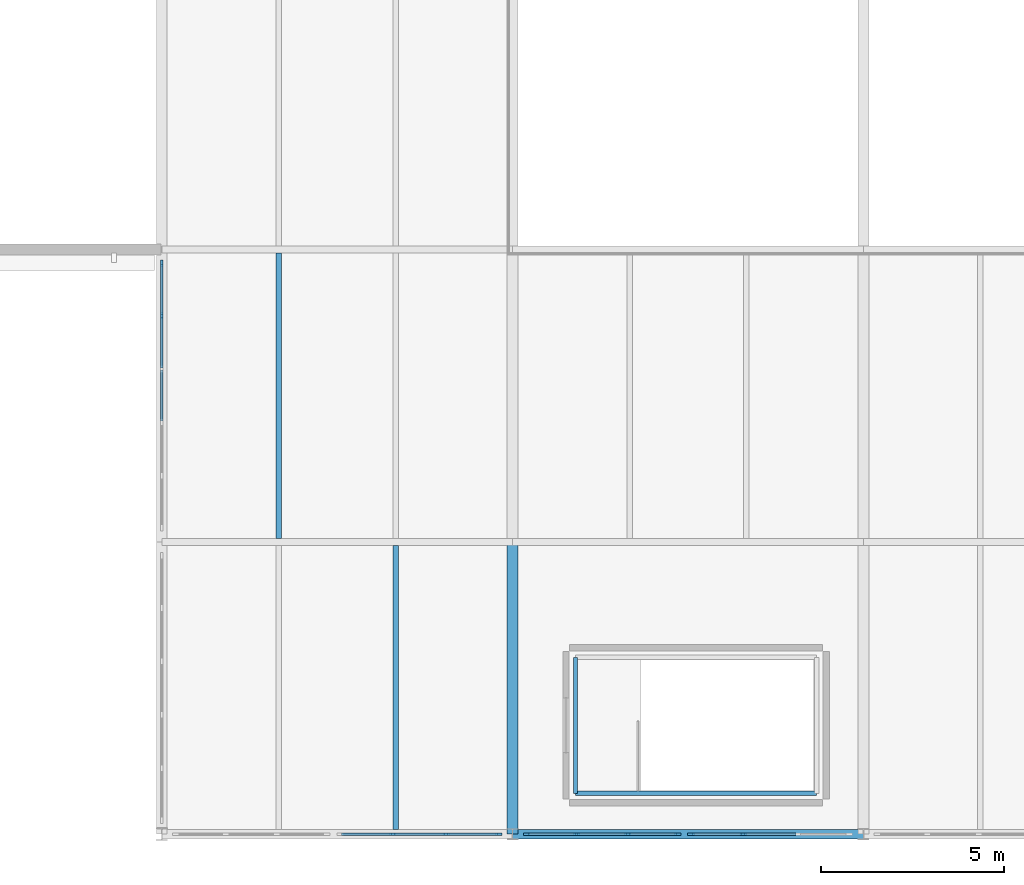
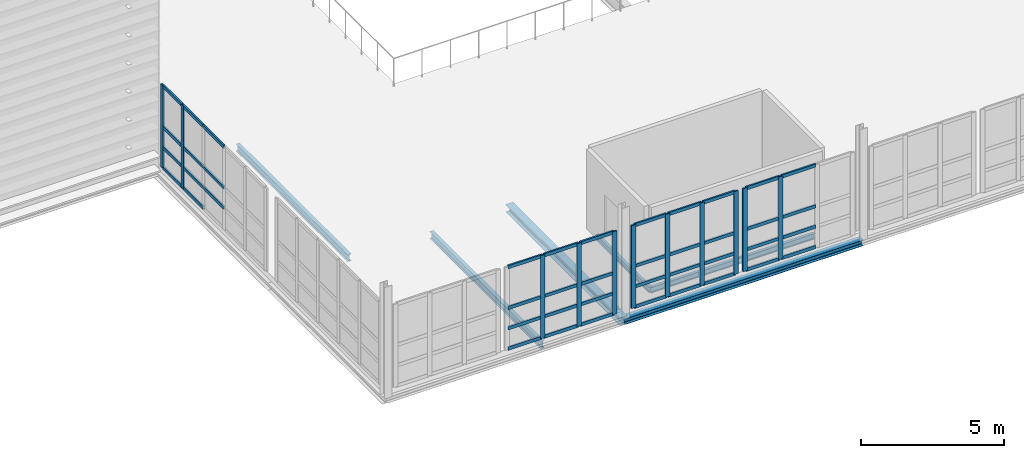
# One storey, part 24 of 73: 54 members, 6 beams, 4 elements without a shape of their own.
"""IFC4 building model written with IfcOpenShell, lengths in metres."""

from ifc_helpers import new_model, si_unit, direction, frame, origin, origin_2d, place, context, subcontext, project, spatial, rectangle, i_section, extrude, material, layer, layer_set, material_profile, profile_set, type_object, element, aggregate, save


model = new_model("IFC4")

# Units and contexts
model_context = context("Model", 3, precision=1e-05, world=origin(), true_north=direction((0.0, 1.0)))
body_context = subcontext(model_context, "Body", "Model", "MODEL_VIEW")
ifc_project = project(units=[si_unit("LENGTHUNIT", "METRE"), si_unit("AREAUNIT", "SQUARE_METRE"), si_unit("VOLUMEUNIT", "CUBIC_METRE"), si_unit("PLANEANGLEUNIT", "RADIAN"), si_unit("MASSUNIT", "GRAM", prefix="KILO")], contexts=[model_context])

# Site, building, storey
site_placement = place(None, origin())
site = spatial("IfcSite", under=ifc_project, at=site_placement, CompositionType="ELEMENT")
building_placement = place(site_placement, origin())
building = spatial("IfcBuilding", under=site, at=building_placement, Name="Alderhovde Museum", CompositionType="ELEMENT")
storey_placement = place(building_placement, frame((0.0, 0.0, 12.89990234375)))
storey = spatial("IfcBuildingStorey", under=building, at=storey_placement, Name="L03", CompositionType="ELEMENT", Elevation=12.89990234375)

# Beams
ifc_material_1 = material(Name="Steel S355J2", Category="steel")
ifc_material_profile_1 = material_profile(ifc_material_1, i_section(OverallWidth=0.300048828125, OverallDepth=0.330078125, WebThickness=0.009521484375, FlangeThickness=0.0166015625, FilletRadius=0.027099609375, at=origin_2d()), Name="HEA 340")
ifc_profile_set_1 = profile_set([ifc_material_profile_1], Name="Steel S355J2")
beam_type_1 = type_object("IfcBeamType", Name="BM-HEA340", PredefinedType="BEAM", material=ifc_profile_set_1)
beam_1_placement = place(storey_placement, frame((86.39990234375, 32.0, -0.4248046875), z_axis=(0.0, 1.0, 0.0), x_axis=(-1.0, 0.0, 0.0)))
element("IfcBeam", 1, at=beam_1_placement, inside=storey, type_object=beam_type_1, Name="L03 Grid Beam X=86.4 (32.0 TO 40.0)", PredefinedType="BEAM", context=body_context, shape_type="SweptSolid", body=[
    extrude(i_section(OverallWidth=0.300048828125, OverallDepth=0.330078125, WebThickness=0.009521484375, FlangeThickness=0.0166015625, FilletRadius=0.027099609375, at=origin_2d()), origin(), (0.0, 0.0, 1.0), 8.0),
])
ifc_material_2 = material(Name="Steel S355J2", Category="steel")
ifc_material_profile_2 = material_profile(ifc_material_2, i_section(OverallWidth=0.1201171875, OverallDepth=0.239990234375, WebThickness=0.006103515625, FlangeThickness=0.009765625, FilletRadius=0.014892578125, at=origin_2d()), Name="IPE 240")
ifc_profile_set_2 = profile_set([ifc_material_profile_2], Name="Steel S355J2")
beam_type_2 = type_object("IfcBeamType", Name="BM-IPE240", PredefinedType="BEAM", material=ifc_profile_set_2)
beam_2_placement = place(storey_placement, frame((88.1201171875, 33.1201171875, -0.3798828125), z_axis=(1.0, 0.0, 0.0), x_axis=(0.0, 1.0, 0.0)))
element("IfcBeam", 2, at=beam_2_placement, inside=storey, type_object=beam_type_2, Name="L03 Stair ST3 Floor Trimmer S", PredefinedType="BEAM", context=body_context, shape_type="SweptSolid", body=[
    extrude(i_section(OverallWidth=0.1201171875, OverallDepth=0.239990234375, WebThickness=0.006103515625, FlangeThickness=0.009765625, FilletRadius=0.014892578125, at=origin_2d()), origin(), (0.0, 0.0, 1.0), 6.599853515625),
])
beam_3_placement = place(storey_placement, frame((88.1201171875, 33.1201171875, -0.3798828125), z_axis=(0.0, 1.0, 0.0), x_axis=(-1.0, 0.0, 0.0)))
element("IfcBeam", 3, at=beam_3_placement, inside=storey, type_object=beam_type_2, Name="L03 Stair ST3 Floor Trimmer W", PredefinedType="BEAM", context=body_context, shape_type="SweptSolid", body=[
    extrude(i_section(OverallWidth=0.1201171875, OverallDepth=0.239990234375, WebThickness=0.006103515625, FlangeThickness=0.009765625, FilletRadius=0.014892578125, at=origin_2d()), origin(), (0.0, 0.0, 1.0), 3.719970703125),
])

# Curtain wall, members
ifc_material_3 = material(Name="Triple-Glazed Bronze-Anodised Curtain Wall", Category="glass")
ifc_layer_1 = layer(ifc_material_3, 0.179931640625)
ifc_layer_set_1 = layer_set([ifc_layer_1], Name="Triple-Glazed Bronze-Anodised Curtain Wall")
curtain_wall_type_1 = type_object("IfcCurtainWallType", Name="CW-UNIT-440x354", PredefinedType="USERDEFINED", material=ifc_layer_set_1)
curtain_wall_1_placement = place(storey_placement, origin())
curtain_wall_1 = element("IfcCurtainWall", 4, at=curtain_wall_1_placement, inside=storey, type_object=curtain_wall_type_1, Name="L03 Unitised Curtain Wall 57", ObjectType="UNITISED CURTAIN WALL", PredefinedType="USERDEFINED")
ifc_material_4 = material(Name="Bronze-Anodised Aluminium EN AW-6063-T6", Category="aluminium")
ifc_material_profile_3 = material_profile(ifc_material_4, rectangle(XDim=0.06494140625, YDim=0.179931640625, at=origin_2d()), Name="MULLION 65x180")
ifc_profile_set_3 = profile_set([ifc_material_profile_3], Name="Bronze-Anodised Aluminium EN AW-6063-T6")
member_type_1 = type_object("IfcMemberType", Name="CWM-65x180", PredefinedType="MULLION", material=ifc_profile_set_3)
member_1_placement = place(storey_placement, frame((83.11669921875, 32.0, 0.0), z_axis=(0.0, 0.0, 1.0), x_axis=(0.0, 1.0, 0.0)))
member_1 = element("IfcMember", 5, at=member_1_placement, type_object=member_type_1, Name="CW16 mullion 2", PredefinedType="MULLION", context=body_context, shape_type="SweptSolid", body=[
    extrude(rectangle(XDim=0.06494140625, YDim=0.179931640625, at=origin_2d()), origin(), (0.0, 0.0, 1.0), 3.5400390625),
])
member_2_placement = place(storey_placement, frame((84.583251953125, 32.0, 0.0), z_axis=(0.0, 0.0, 1.0), x_axis=(0.0, 1.0, 0.0)))
member_2 = element("IfcMember", 6, at=member_2_placement, type_object=member_type_1, Name="CW16 mullion 3", PredefinedType="MULLION", context=body_context, shape_type="SweptSolid", body=[
    extrude(rectangle(XDim=0.06494140625, YDim=0.179931640625, at=origin_2d()), origin(), (0.0, 0.0, 1.0), 3.5400390625),
])
member_3_placement = place(storey_placement, frame((86.017578125, 32.0, 0.0), z_axis=(0.0, 0.0, 1.0), x_axis=(0.0, 1.0, 0.0)))
member_3 = element("IfcMember", 7, at=member_3_placement, type_object=member_type_1, Name="CW16 mullion 4", PredefinedType="MULLION", context=body_context, shape_type="SweptSolid", body=[
    extrude(rectangle(XDim=0.06494140625, YDim=0.179931640625, at=origin_2d()), origin(), (0.0, 0.0, 1.0), 3.5400390625),
])

ifc_material_5 = material(Name="Triple-Glazed Bronze-Anodised Curtain Wall", Category="glass")
ifc_layer_2 = layer(ifc_material_5, 0.179931640625)
ifc_layer_set_2 = layer_set([ifc_layer_2], Name="Triple-Glazed Bronze-Anodised Curtain Wall")
curtain_wall_type_2 = type_object("IfcCurtainWallType", Name="CW-UNIT-420x354", PredefinedType="USERDEFINED", material=ifc_layer_set_2)
curtain_wall_2_placement = place(storey_placement, origin())
curtain_wall_2 = element("IfcCurtainWall", 8, at=curtain_wall_2_placement, inside=storey, type_object=curtain_wall_type_2, Name="L03 Unitised Curtain Wall 58", ObjectType="UNITISED CURTAIN WALL", PredefinedType="USERDEFINED")
member_4_placement = place(storey_placement, frame((86.782470703125, 32.0, 0.0), z_axis=(0.0, 0.0, 1.0), x_axis=(0.0, 1.0, 0.0)))
member_4 = element("IfcMember", 9, at=member_4_placement, type_object=member_type_1, Name="CW15 mullion 1", PredefinedType="MULLION", context=body_context, shape_type="SweptSolid", body=[
    extrude(rectangle(XDim=0.06494140625, YDim=0.179931640625, at=origin_2d()), origin(), (0.0, 0.0, 1.0), 3.5400390625),
])
member_5_placement = place(storey_placement, frame((88.14990234375, 32.0, 0.0), z_axis=(0.0, 0.0, 1.0), x_axis=(0.0, 1.0, 0.0)))
member_5 = element("IfcMember", 10, at=member_5_placement, type_object=member_type_1, Name="CW15 mullion 2", PredefinedType="MULLION", context=body_context, shape_type="SweptSolid", body=[
    extrude(rectangle(XDim=0.06494140625, YDim=0.179931640625, at=origin_2d()), origin(), (0.0, 0.0, 1.0), 3.5400390625),
])
member_6_placement = place(storey_placement, frame((89.550048828125, 32.0, 0.0), z_axis=(0.0, 0.0, 1.0), x_axis=(0.0, 1.0, 0.0)))
member_6 = element("IfcMember", 11, at=member_6_placement, type_object=member_type_1, Name="CW15 mullion 3", PredefinedType="MULLION", context=body_context, shape_type="SweptSolid", body=[
    extrude(rectangle(XDim=0.06494140625, YDim=0.179931640625, at=origin_2d()), origin(), (0.0, 0.0, 1.0), 3.5400390625),
])
member_7_placement = place(storey_placement, frame((90.91748046875, 32.0, 0.0), z_axis=(0.0, 0.0, 1.0), x_axis=(0.0, 1.0, 0.0)))
member_7 = element("IfcMember", 12, at=member_7_placement, type_object=member_type_1, Name="CW15 mullion 4", PredefinedType="MULLION", context=body_context, shape_type="SweptSolid", body=[
    extrude(rectangle(XDim=0.06494140625, YDim=0.179931640625, at=origin_2d()), origin(), (0.0, 0.0, 1.0), 3.5400390625),
])

curtain_wall_3_placement = place(storey_placement, origin())
curtain_wall_3 = element("IfcCurtainWall", 13, at=curtain_wall_3_placement, inside=storey, type_object=curtain_wall_type_1, Name="L03 Unitised Curtain Wall 59", ObjectType="UNITISED CURTAIN WALL", PredefinedType="USERDEFINED")
member_8_placement = place(storey_placement, frame((91.282470703125, 32.0, 0.0), z_axis=(0.0, 0.0, 1.0), x_axis=(0.0, 1.0, 0.0)))
member_8 = element("IfcMember", 14, at=member_8_placement, type_object=member_type_1, Name="CW16 mullion 1", PredefinedType="MULLION", context=body_context, shape_type="SweptSolid", body=[
    extrude(rectangle(XDim=0.06494140625, YDim=0.179931640625, at=origin_2d()), origin(), (0.0, 0.0, 1.0), 3.5400390625),
])
member_9_placement = place(storey_placement, frame((92.716552734375, 32.0, 0.0), z_axis=(0.0, 0.0, 1.0), x_axis=(0.0, 1.0, 0.0)))
member_9 = element("IfcMember", 15, at=member_9_placement, type_object=member_type_1, Name="CW16 mullion 2", PredefinedType="MULLION", context=body_context, shape_type="SweptSolid", body=[
    extrude(rectangle(XDim=0.06494140625, YDim=0.179931640625, at=origin_2d()), origin(), (0.0, 0.0, 1.0), 3.5400390625),
])

ifc_material_6 = material(Name="Triple-Glazed Bronze-Anodised Curtain Wall", Category="glass")
ifc_layer_3 = layer(ifc_material_6, 0.179931640625)
ifc_layer_set_3 = layer_set([ifc_layer_3], Name="Triple-Glazed Bronze-Anodised Curtain Wall")
curtain_wall_type_3 = type_object("IfcCurtainWallType", Name="CW-STIC-730x354", PredefinedType="USERDEFINED", material=ifc_layer_set_3)
curtain_wall_4_placement = place(storey_placement, origin())
curtain_wall_4 = element("IfcCurtainWall", 16, at=curtain_wall_4_placement, inside=storey, type_object=curtain_wall_type_3, Name="L03 Stick Curtain Wall 65", ObjectType="STICK CURTAIN WALL", PredefinedType="USERDEFINED")
member_10_placement = place(storey_placement, frame((76.800048828125, 46.18994140625, 0.0), z_axis=(0.0, 0.0, 1.0), x_axis=(-1.0, 0.0, 0.0)))
member_10 = element("IfcMember", 17, at=member_10_placement, type_object=member_type_1, Name="CW17 mullion 5", PredefinedType="MULLION", context=body_context, shape_type="SweptSolid", body=[
    extrude(rectangle(XDim=0.06494140625, YDim=0.179931640625, at=origin_2d()), origin(), (0.0, 0.0, 1.0), 3.5400390625),
])
member_11_placement = place(storey_placement, frame((76.800048828125, 47.617431640625, 0.0), z_axis=(0.0, 0.0, 1.0), x_axis=(-1.0, 0.0, 0.0)))
member_11 = element("IfcMember", 18, at=member_11_placement, type_object=member_type_1, Name="CW17 mullion 6", PredefinedType="MULLION", context=body_context, shape_type="SweptSolid", body=[
    extrude(rectangle(XDim=0.06494140625, YDim=0.179931640625, at=origin_2d()), origin(), (0.0, 0.0, 1.0), 3.5400390625),
])

# Member
ifc_material_7 = material(Name="Bronze-Anodised Aluminium EN AW-6063-T6", Category="aluminium")
ifc_material_profile_4 = material_profile(ifc_material_7, rectangle(XDim=0.06494140625, YDim=0.139892578125, at=origin_2d()), Name="TRANSOM 65x140")
ifc_profile_set_4 = profile_set([ifc_material_profile_4], Name="Bronze-Anodised Aluminium EN AW-6063-T6")
member_type_2 = type_object("IfcMemberType", Name="CWT-65x140", PredefinedType="USERDEFINED", material=ifc_profile_set_4)
member_12_placement = place(storey_placement, frame((81.715087890625, 32.0, 0.03271484375), z_axis=(1.0, 0.0, 0.0), x_axis=(0.0, 1.0, 0.0)))
member_12 = element("IfcMember", 19, at=member_12_placement, type_object=member_type_2, Name="CW16 transom 1.1", ObjectType="TRANSOM", PredefinedType="USERDEFINED", context=body_context, shape_type="SweptSolid", body=[
    extrude(rectangle(XDim=0.06494140625, YDim=0.139892578125, at=origin_2d()), origin(), (0.0, 0.0, 1.0), 1.369140625),
])

member_13_placement = place(storey_placement, frame((81.715087890625, 32.0, 0.900146484375), z_axis=(1.0, 0.0, 0.0), x_axis=(0.0, 1.0, 0.0)))
member_13 = element("IfcMember", 20, at=member_13_placement, type_object=member_type_2, Name="CW16 transom 1.2", ObjectType="TRANSOM", PredefinedType="USERDEFINED", context=body_context, shape_type="SweptSolid", body=[
    extrude(rectangle(XDim=0.06494140625, YDim=0.139892578125, at=origin_2d()), origin(), (0.0, 0.0, 1.0), 1.369140625),
])

member_14_placement = place(storey_placement, frame((81.715087890625, 32.0, 1.77001953125), z_axis=(1.0, 0.0, 0.0), x_axis=(0.0, 1.0, 0.0)))
member_14 = element("IfcMember", 21, at=member_14_placement, type_object=member_type_2, Name="CW16 transom 1.3", ObjectType="TRANSOM", PredefinedType="USERDEFINED", context=body_context, shape_type="SweptSolid", body=[
    extrude(rectangle(XDim=0.06494140625, YDim=0.139892578125, at=origin_2d()), origin(), (0.0, 0.0, 1.0), 1.369140625),
])

member_15_placement = place(storey_placement, frame((81.715087890625, 32.0, 3.507568359375), z_axis=(1.0, 0.0, 0.0), x_axis=(0.0, 1.0, 0.0)))
member_15 = element("IfcMember", 22, at=member_15_placement, type_object=member_type_2, Name="CW16 transom 1.4", ObjectType="TRANSOM", PredefinedType="USERDEFINED", context=body_context, shape_type="SweptSolid", body=[
    extrude(rectangle(XDim=0.06494140625, YDim=0.139892578125, at=origin_2d()), origin(), (0.0, 0.0, 1.0), 1.369140625),
])

member_16_placement = place(storey_placement, frame((83.149169921875, 32.0, 0.03271484375), z_axis=(1.0, 0.0, 0.0), x_axis=(0.0, 1.0, 0.0)))
member_16 = element("IfcMember", 23, at=member_16_placement, type_object=member_type_2, Name="CW16 transom 2.1", ObjectType="TRANSOM", PredefinedType="USERDEFINED", context=body_context, shape_type="SweptSolid", body=[
    extrude(rectangle(XDim=0.06494140625, YDim=0.139892578125, at=origin_2d()), origin(), (0.0, 0.0, 1.0), 1.401611328125),
])

member_17_placement = place(storey_placement, frame((83.149169921875, 32.0, 0.900146484375), z_axis=(1.0, 0.0, 0.0), x_axis=(0.0, 1.0, 0.0)))
member_17 = element("IfcMember", 24, at=member_17_placement, type_object=member_type_2, Name="CW16 transom 2.2", ObjectType="TRANSOM", PredefinedType="USERDEFINED", context=body_context, shape_type="SweptSolid", body=[
    extrude(rectangle(XDim=0.06494140625, YDim=0.139892578125, at=origin_2d()), origin(), (0.0, 0.0, 1.0), 1.401611328125),
])

member_18_placement = place(storey_placement, frame((83.149169921875, 32.0, 1.77001953125), z_axis=(1.0, 0.0, 0.0), x_axis=(0.0, 1.0, 0.0)))
member_18 = element("IfcMember", 25, at=member_18_placement, type_object=member_type_2, Name="CW16 transom 2.3", ObjectType="TRANSOM", PredefinedType="USERDEFINED", context=body_context, shape_type="SweptSolid", body=[
    extrude(rectangle(XDim=0.06494140625, YDim=0.139892578125, at=origin_2d()), origin(), (0.0, 0.0, 1.0), 1.401611328125),
])

member_19_placement = place(storey_placement, frame((83.149169921875, 32.0, 3.507568359375), z_axis=(1.0, 0.0, 0.0), x_axis=(0.0, 1.0, 0.0)))
member_19 = element("IfcMember", 26, at=member_19_placement, type_object=member_type_2, Name="CW16 transom 2.4", ObjectType="TRANSOM", PredefinedType="USERDEFINED", context=body_context, shape_type="SweptSolid", body=[
    extrude(rectangle(XDim=0.06494140625, YDim=0.139892578125, at=origin_2d()), origin(), (0.0, 0.0, 1.0), 1.401611328125),
])

member_20_placement = place(storey_placement, frame((84.61572265625, 32.0, 0.03271484375), z_axis=(1.0, 0.0, 0.0), x_axis=(0.0, 1.0, 0.0)))
member_20 = element("IfcMember", 27, at=member_20_placement, type_object=member_type_2, Name="CW16 transom 3.1", ObjectType="TRANSOM", PredefinedType="USERDEFINED", context=body_context, shape_type="SweptSolid", body=[
    extrude(rectangle(XDim=0.06494140625, YDim=0.139892578125, at=origin_2d()), origin(), (0.0, 0.0, 1.0), 1.369384765625),
])

member_21_placement = place(storey_placement, frame((84.61572265625, 32.0, 0.900146484375), z_axis=(1.0, 0.0, 0.0), x_axis=(0.0, 1.0, 0.0)))
member_21 = element("IfcMember", 28, at=member_21_placement, type_object=member_type_2, Name="CW16 transom 3.2", ObjectType="TRANSOM", PredefinedType="USERDEFINED", context=body_context, shape_type="SweptSolid", body=[
    extrude(rectangle(XDim=0.06494140625, YDim=0.139892578125, at=origin_2d()), origin(), (0.0, 0.0, 1.0), 1.369384765625),
])

member_22_placement = place(storey_placement, frame((84.61572265625, 32.0, 1.77001953125), z_axis=(1.0, 0.0, 0.0), x_axis=(0.0, 1.0, 0.0)))
member_22 = element("IfcMember", 29, at=member_22_placement, type_object=member_type_2, Name="CW16 transom 3.3", ObjectType="TRANSOM", PredefinedType="USERDEFINED", context=body_context, shape_type="SweptSolid", body=[
    extrude(rectangle(XDim=0.06494140625, YDim=0.139892578125, at=origin_2d()), origin(), (0.0, 0.0, 1.0), 1.369384765625),
])

member_23_placement = place(storey_placement, frame((84.61572265625, 32.0, 3.507568359375), z_axis=(1.0, 0.0, 0.0), x_axis=(0.0, 1.0, 0.0)))
member_23 = element("IfcMember", 30, at=member_23_placement, type_object=member_type_2, Name="CW16 transom 3.4", ObjectType="TRANSOM", PredefinedType="USERDEFINED", context=body_context, shape_type="SweptSolid", body=[
    extrude(rectangle(XDim=0.06494140625, YDim=0.139892578125, at=origin_2d()), origin(), (0.0, 0.0, 1.0), 1.369384765625),
])

aggregate(curtain_wall_1, [member_1, member_2, member_3, member_12, member_13, member_14, member_15, member_16, member_17, member_18, member_19, member_20, member_21, member_22, member_23])

member_24_placement = place(storey_placement, frame((86.81494140625, 32.0, 0.03271484375), z_axis=(1.0, 0.0, 0.0), x_axis=(0.0, 1.0, 0.0)))
member_24 = element("IfcMember", 31, at=member_24_placement, type_object=member_type_2, Name="CW15 transom 1.1", ObjectType="TRANSOM", PredefinedType="USERDEFINED", context=body_context, shape_type="SweptSolid", body=[
    extrude(rectangle(XDim=0.06494140625, YDim=0.139892578125, at=origin_2d()), origin(), (0.0, 0.0, 1.0), 1.302490234375),
])

member_25_placement = place(storey_placement, frame((86.81494140625, 32.0, 0.900146484375), z_axis=(1.0, 0.0, 0.0), x_axis=(0.0, 1.0, 0.0)))
member_25 = element("IfcMember", 32, at=member_25_placement, type_object=member_type_2, Name="CW15 transom 1.2", ObjectType="TRANSOM", PredefinedType="USERDEFINED", context=body_context, shape_type="SweptSolid", body=[
    extrude(rectangle(XDim=0.06494140625, YDim=0.139892578125, at=origin_2d()), origin(), (0.0, 0.0, 1.0), 1.302490234375),
])

member_26_placement = place(storey_placement, frame((86.81494140625, 32.0, 1.77001953125), z_axis=(1.0, 0.0, 0.0), x_axis=(0.0, 1.0, 0.0)))
member_26 = element("IfcMember", 33, at=member_26_placement, type_object=member_type_2, Name="CW15 transom 1.3", ObjectType="TRANSOM", PredefinedType="USERDEFINED", context=body_context, shape_type="SweptSolid", body=[
    extrude(rectangle(XDim=0.06494140625, YDim=0.139892578125, at=origin_2d()), origin(), (0.0, 0.0, 1.0), 1.302490234375),
])

member_27_placement = place(storey_placement, frame((86.81494140625, 32.0, 3.507568359375), z_axis=(1.0, 0.0, 0.0), x_axis=(0.0, 1.0, 0.0)))
member_27 = element("IfcMember", 34, at=member_27_placement, type_object=member_type_2, Name="CW15 transom 1.4", ObjectType="TRANSOM", PredefinedType="USERDEFINED", context=body_context, shape_type="SweptSolid", body=[
    extrude(rectangle(XDim=0.06494140625, YDim=0.139892578125, at=origin_2d()), origin(), (0.0, 0.0, 1.0), 1.302490234375),
])

member_28_placement = place(storey_placement, frame((88.1826171875, 32.0, 0.03271484375), z_axis=(1.0, 0.0, 0.0), x_axis=(0.0, 1.0, 0.0)))
member_28 = element("IfcMember", 35, at=member_28_placement, type_object=member_type_2, Name="CW15 transom 2.1", ObjectType="TRANSOM", PredefinedType="USERDEFINED", context=body_context, shape_type="SweptSolid", body=[
    extrude(rectangle(XDim=0.06494140625, YDim=0.139892578125, at=origin_2d()), origin(), (0.0, 0.0, 1.0), 1.3349609375),
])

member_29_placement = place(storey_placement, frame((88.1826171875, 32.0, 0.900146484375), z_axis=(1.0, 0.0, 0.0), x_axis=(0.0, 1.0, 0.0)))
member_29 = element("IfcMember", 36, at=member_29_placement, type_object=member_type_2, Name="CW15 transom 2.2", ObjectType="TRANSOM", PredefinedType="USERDEFINED", context=body_context, shape_type="SweptSolid", body=[
    extrude(rectangle(XDim=0.06494140625, YDim=0.139892578125, at=origin_2d()), origin(), (0.0, 0.0, 1.0), 1.3349609375),
])

member_30_placement = place(storey_placement, frame((88.1826171875, 32.0, 1.77001953125), z_axis=(1.0, 0.0, 0.0), x_axis=(0.0, 1.0, 0.0)))
member_30 = element("IfcMember", 37, at=member_30_placement, type_object=member_type_2, Name="CW15 transom 2.3", ObjectType="TRANSOM", PredefinedType="USERDEFINED", context=body_context, shape_type="SweptSolid", body=[
    extrude(rectangle(XDim=0.06494140625, YDim=0.139892578125, at=origin_2d()), origin(), (0.0, 0.0, 1.0), 1.3349609375),
])

member_31_placement = place(storey_placement, frame((88.1826171875, 32.0, 3.507568359375), z_axis=(1.0, 0.0, 0.0), x_axis=(0.0, 1.0, 0.0)))
member_31 = element("IfcMember", 38, at=member_31_placement, type_object=member_type_2, Name="CW15 transom 2.4", ObjectType="TRANSOM", PredefinedType="USERDEFINED", context=body_context, shape_type="SweptSolid", body=[
    extrude(rectangle(XDim=0.06494140625, YDim=0.139892578125, at=origin_2d()), origin(), (0.0, 0.0, 1.0), 1.3349609375),
])

member_32_placement = place(storey_placement, frame((89.58251953125, 32.0, 0.03271484375), z_axis=(1.0, 0.0, 0.0), x_axis=(0.0, 1.0, 0.0)))
member_32 = element("IfcMember", 39, at=member_32_placement, type_object=member_type_2, Name="CW15 transom 3.1", ObjectType="TRANSOM", PredefinedType="USERDEFINED", context=body_context, shape_type="SweptSolid", body=[
    extrude(rectangle(XDim=0.06494140625, YDim=0.139892578125, at=origin_2d()), origin(), (0.0, 0.0, 1.0), 1.302490234375),
])

member_33_placement = place(storey_placement, frame((89.58251953125, 32.0, 0.900146484375), z_axis=(1.0, 0.0, 0.0), x_axis=(0.0, 1.0, 0.0)))
member_33 = element("IfcMember", 40, at=member_33_placement, type_object=member_type_2, Name="CW15 transom 3.2", ObjectType="TRANSOM", PredefinedType="USERDEFINED", context=body_context, shape_type="SweptSolid", body=[
    extrude(rectangle(XDim=0.06494140625, YDim=0.139892578125, at=origin_2d()), origin(), (0.0, 0.0, 1.0), 1.302490234375),
])

member_34_placement = place(storey_placement, frame((89.58251953125, 32.0, 1.77001953125), z_axis=(1.0, 0.0, 0.0), x_axis=(0.0, 1.0, 0.0)))
member_34 = element("IfcMember", 41, at=member_34_placement, type_object=member_type_2, Name="CW15 transom 3.3", ObjectType="TRANSOM", PredefinedType="USERDEFINED", context=body_context, shape_type="SweptSolid", body=[
    extrude(rectangle(XDim=0.06494140625, YDim=0.139892578125, at=origin_2d()), origin(), (0.0, 0.0, 1.0), 1.302490234375),
])

member_35_placement = place(storey_placement, frame((89.58251953125, 32.0, 3.507568359375), z_axis=(1.0, 0.0, 0.0), x_axis=(0.0, 1.0, 0.0)))
member_35 = element("IfcMember", 42, at=member_35_placement, type_object=member_type_2, Name="CW15 transom 3.4", ObjectType="TRANSOM", PredefinedType="USERDEFINED", context=body_context, shape_type="SweptSolid", body=[
    extrude(rectangle(XDim=0.06494140625, YDim=0.139892578125, at=origin_2d()), origin(), (0.0, 0.0, 1.0), 1.302490234375),
])

aggregate(curtain_wall_2, [member_4, member_5, member_6, member_7, member_24, member_25, member_26, member_27, member_28, member_29, member_30, member_31, member_32, member_33, member_34, member_35])

member_36_placement = place(storey_placement, frame((91.31494140625, 32.0, 0.03271484375), z_axis=(1.0, 0.0, 0.0), x_axis=(0.0, 1.0, 0.0)))
member_36 = element("IfcMember", 43, at=member_36_placement, type_object=member_type_2, Name="CW16 transom 1.1", ObjectType="TRANSOM", PredefinedType="USERDEFINED", context=body_context, shape_type="SweptSolid", body=[
    extrude(rectangle(XDim=0.06494140625, YDim=0.139892578125, at=origin_2d()), origin(), (0.0, 0.0, 1.0), 1.369140625),
])

member_37_placement = place(storey_placement, frame((91.31494140625, 32.0, 0.900146484375), z_axis=(1.0, 0.0, 0.0), x_axis=(0.0, 1.0, 0.0)))
member_37 = element("IfcMember", 44, at=member_37_placement, type_object=member_type_2, Name="CW16 transom 1.2", ObjectType="TRANSOM", PredefinedType="USERDEFINED", context=body_context, shape_type="SweptSolid", body=[
    extrude(rectangle(XDim=0.06494140625, YDim=0.139892578125, at=origin_2d()), origin(), (0.0, 0.0, 1.0), 1.369140625),
])

member_38_placement = place(storey_placement, frame((91.31494140625, 32.0, 1.77001953125), z_axis=(1.0, 0.0, 0.0), x_axis=(0.0, 1.0, 0.0)))
member_38 = element("IfcMember", 45, at=member_38_placement, type_object=member_type_2, Name="CW16 transom 1.3", ObjectType="TRANSOM", PredefinedType="USERDEFINED", context=body_context, shape_type="SweptSolid", body=[
    extrude(rectangle(XDim=0.06494140625, YDim=0.139892578125, at=origin_2d()), origin(), (0.0, 0.0, 1.0), 1.369140625),
])

member_39_placement = place(storey_placement, frame((91.31494140625, 32.0, 3.507568359375), z_axis=(1.0, 0.0, 0.0), x_axis=(0.0, 1.0, 0.0)))
member_39 = element("IfcMember", 46, at=member_39_placement, type_object=member_type_2, Name="CW16 transom 1.4", ObjectType="TRANSOM", PredefinedType="USERDEFINED", context=body_context, shape_type="SweptSolid", body=[
    extrude(rectangle(XDim=0.06494140625, YDim=0.139892578125, at=origin_2d()), origin(), (0.0, 0.0, 1.0), 1.369140625),
])

member_40_placement = place(storey_placement, frame((92.749267578125, 32.0, 0.03271484375), z_axis=(1.0, 0.0, 0.0), x_axis=(0.0, 1.0, 0.0)))
member_40 = element("IfcMember", 47, at=member_40_placement, type_object=member_type_2, Name="CW16 transom 2.1", ObjectType="TRANSOM", PredefinedType="USERDEFINED", context=body_context, shape_type="SweptSolid", body=[
    extrude(rectangle(XDim=0.06494140625, YDim=0.139892578125, at=origin_2d()), origin(), (0.0, 0.0, 1.0), 1.401611328125),
])

member_41_placement = place(storey_placement, frame((92.749267578125, 32.0, 0.900146484375), z_axis=(1.0, 0.0, 0.0), x_axis=(0.0, 1.0, 0.0)))
member_41 = element("IfcMember", 48, at=member_41_placement, type_object=member_type_2, Name="CW16 transom 2.2", ObjectType="TRANSOM", PredefinedType="USERDEFINED", context=body_context, shape_type="SweptSolid", body=[
    extrude(rectangle(XDim=0.06494140625, YDim=0.139892578125, at=origin_2d()), origin(), (0.0, 0.0, 1.0), 1.401611328125),
])

member_42_placement = place(storey_placement, frame((92.749267578125, 32.0, 1.77001953125), z_axis=(1.0, 0.0, 0.0), x_axis=(0.0, 1.0, 0.0)))
member_42 = element("IfcMember", 49, at=member_42_placement, type_object=member_type_2, Name="CW16 transom 2.3", ObjectType="TRANSOM", PredefinedType="USERDEFINED", context=body_context, shape_type="SweptSolid", body=[
    extrude(rectangle(XDim=0.06494140625, YDim=0.139892578125, at=origin_2d()), origin(), (0.0, 0.0, 1.0), 1.401611328125),
])

member_43_placement = place(storey_placement, frame((92.749267578125, 32.0, 3.507568359375), z_axis=(1.0, 0.0, 0.0), x_axis=(0.0, 1.0, 0.0)))
member_43 = element("IfcMember", 50, at=member_43_placement, type_object=member_type_2, Name="CW16 transom 2.4", ObjectType="TRANSOM", PredefinedType="USERDEFINED", context=body_context, shape_type="SweptSolid", body=[
    extrude(rectangle(XDim=0.06494140625, YDim=0.139892578125, at=origin_2d()), origin(), (0.0, 0.0, 1.0), 1.401611328125),
])

aggregate(curtain_wall_3, [member_8, member_9, member_36, member_37, member_38, member_39, member_40, member_41, member_42, member_43])

member_44_placement = place(storey_placement, frame((76.800048828125, 43.302490234375, 0.900146484375), z_axis=(0.0, 1.0, 0.0), x_axis=(-1.0, 0.0, 0.0)))
member_44 = element("IfcMember", 51, at=member_44_placement, type_object=member_type_2, Name="CW17 transom 3.2", ObjectType="TRANSOM", PredefinedType="USERDEFINED", context=body_context, shape_type="SweptSolid", body=[
    extrude(rectangle(XDim=0.06494140625, YDim=0.139892578125, at=origin_2d()), origin(), (0.0, 0.0, 1.0), 1.39501953125),
])

member_45_placement = place(storey_placement, frame((76.800048828125, 43.302490234375, 1.77001953125), z_axis=(0.0, 1.0, 0.0), x_axis=(-1.0, 0.0, 0.0)))
member_45 = element("IfcMember", 52, at=member_45_placement, type_object=member_type_2, Name="CW17 transom 3.3", ObjectType="TRANSOM", PredefinedType="USERDEFINED", context=body_context, shape_type="SweptSolid", body=[
    extrude(rectangle(XDim=0.06494140625, YDim=0.139892578125, at=origin_2d()), origin(), (0.0, 0.0, 1.0), 1.39501953125),
])

member_46_placement = place(storey_placement, frame((76.800048828125, 43.302490234375, 3.507568359375), z_axis=(0.0, 1.0, 0.0), x_axis=(-1.0, 0.0, 0.0)))
member_46 = element("IfcMember", 53, at=member_46_placement, type_object=member_type_2, Name="CW17 transom 3.4", ObjectType="TRANSOM", PredefinedType="USERDEFINED", context=body_context, shape_type="SweptSolid", body=[
    extrude(rectangle(XDim=0.06494140625, YDim=0.139892578125, at=origin_2d()), origin(), (0.0, 0.0, 1.0), 1.39501953125),
])

member_47_placement = place(storey_placement, frame((76.800048828125, 44.762451171875, 0.03271484375), z_axis=(0.0, 1.0, 0.0), x_axis=(-1.0, 0.0, 0.0)))
member_47 = element("IfcMember", 54, at=member_47_placement, type_object=member_type_2, Name="CW17 transom 4.1", ObjectType="TRANSOM", PredefinedType="USERDEFINED", context=body_context, shape_type="SweptSolid", body=[
    extrude(rectangle(XDim=0.06494140625, YDim=0.139892578125, at=origin_2d()), origin(), (0.0, 0.0, 1.0), 1.39501953125),
])

member_48_placement = place(storey_placement, frame((76.800048828125, 44.762451171875, 0.900146484375), z_axis=(0.0, 1.0, 0.0), x_axis=(-1.0, 0.0, 0.0)))
member_48 = element("IfcMember", 55, at=member_48_placement, type_object=member_type_2, Name="CW17 transom 4.2", ObjectType="TRANSOM", PredefinedType="USERDEFINED", context=body_context, shape_type="SweptSolid", body=[
    extrude(rectangle(XDim=0.06494140625, YDim=0.139892578125, at=origin_2d()), origin(), (0.0, 0.0, 1.0), 1.39501953125),
])

member_49_placement = place(storey_placement, frame((76.800048828125, 44.762451171875, 1.77001953125), z_axis=(0.0, 1.0, 0.0), x_axis=(-1.0, 0.0, 0.0)))
member_49 = element("IfcMember", 56, at=member_49_placement, type_object=member_type_2, Name="CW17 transom 4.3", ObjectType="TRANSOM", PredefinedType="USERDEFINED", context=body_context, shape_type="SweptSolid", body=[
    extrude(rectangle(XDim=0.06494140625, YDim=0.139892578125, at=origin_2d()), origin(), (0.0, 0.0, 1.0), 1.39501953125),
])

member_50_placement = place(storey_placement, frame((76.800048828125, 44.762451171875, 3.507568359375), z_axis=(0.0, 1.0, 0.0), x_axis=(-1.0, 0.0, 0.0)))
member_50 = element("IfcMember", 57, at=member_50_placement, type_object=member_type_2, Name="CW17 transom 4.4", ObjectType="TRANSOM", PredefinedType="USERDEFINED", context=body_context, shape_type="SweptSolid", body=[
    extrude(rectangle(XDim=0.06494140625, YDim=0.139892578125, at=origin_2d()), origin(), (0.0, 0.0, 1.0), 1.39501953125),
])

member_51_placement = place(storey_placement, frame((76.800048828125, 46.222412109375, 0.03271484375), z_axis=(0.0, 1.0, 0.0), x_axis=(-1.0, 0.0, 0.0)))
member_51 = element("IfcMember", 58, at=member_51_placement, type_object=member_type_2, Name="CW17 transom 5.1", ObjectType="TRANSOM", PredefinedType="USERDEFINED", context=body_context, shape_type="SweptSolid", body=[
    extrude(rectangle(XDim=0.06494140625, YDim=0.139892578125, at=origin_2d()), origin(), (0.0, 0.0, 1.0), 1.362548828125),
])

member_52_placement = place(storey_placement, frame((76.800048828125, 46.222412109375, 0.900146484375), z_axis=(0.0, 1.0, 0.0), x_axis=(-1.0, 0.0, 0.0)))
member_52 = element("IfcMember", 59, at=member_52_placement, type_object=member_type_2, Name="CW17 transom 5.2", ObjectType="TRANSOM", PredefinedType="USERDEFINED", context=body_context, shape_type="SweptSolid", body=[
    extrude(rectangle(XDim=0.06494140625, YDim=0.139892578125, at=origin_2d()), origin(), (0.0, 0.0, 1.0), 1.362548828125),
])

member_53_placement = place(storey_placement, frame((76.800048828125, 46.222412109375, 1.77001953125), z_axis=(0.0, 1.0, 0.0), x_axis=(-1.0, 0.0, 0.0)))
member_53 = element("IfcMember", 60, at=member_53_placement, type_object=member_type_2, Name="CW17 transom 5.3", ObjectType="TRANSOM", PredefinedType="USERDEFINED", context=body_context, shape_type="SweptSolid", body=[
    extrude(rectangle(XDim=0.06494140625, YDim=0.139892578125, at=origin_2d()), origin(), (0.0, 0.0, 1.0), 1.362548828125),
])

member_54_placement = place(storey_placement, frame((76.800048828125, 46.222412109375, 3.507568359375), z_axis=(0.0, 1.0, 0.0), x_axis=(-1.0, 0.0, 0.0)))
member_54 = element("IfcMember", 61, at=member_54_placement, type_object=member_type_2, Name="CW17 transom 5.4", ObjectType="TRANSOM", PredefinedType="USERDEFINED", context=body_context, shape_type="SweptSolid", body=[
    extrude(rectangle(XDim=0.06494140625, YDim=0.139892578125, at=origin_2d()), origin(), (0.0, 0.0, 1.0), 1.362548828125),
])

aggregate(curtain_wall_4, [member_10, member_11, member_44, member_45, member_46, member_47, member_48, member_49, member_50, member_51, member_52, member_53, member_54])

# Beams
ifc_material_8 = material(Name="Steel S355J2", Category="steel")
ifc_material_profile_5 = material_profile(ifc_material_8, i_section(OverallWidth=0.14990234375, OverallDepth=0.300048828125, WebThickness=0.007080078125, FlangeThickness=0.0107421875, FilletRadius=0.014892578125, at=origin_2d()), Name="IPE 300")
ifc_profile_set_5 = profile_set([ifc_material_profile_5], Name="Steel S355J2")
beam_type_3 = type_object("IfcBeamType", Name="JST-IPE300", PredefinedType="JOIST", material=ifc_profile_set_5)
beam_4_placement = place(storey_placement, frame((83.199951171875, 32.1298828125, -0.409912109375), z_axis=(0.0, 1.0, 0.0), x_axis=(-1.0, 0.0, 0.0)))
element("IfcBeam", 62, at=beam_4_placement, inside=storey, type_object=beam_type_3, Name="L03 Composite Joist X=83.2 (32.0 TO 40.0)", PredefinedType="JOIST", context=body_context, shape_type="SweptSolid", body=[
    extrude(i_section(OverallWidth=0.14990234375, OverallDepth=0.300048828125, WebThickness=0.007080078125, FlangeThickness=0.0107421875, FilletRadius=0.014892578125, at=origin_2d()), origin(), (0.0, 0.0, 1.0), 7.775146484375),
])
beam_5_placement = place(storey_placement, frame((80.0, 40.094970703125, -0.409912109375), z_axis=(0.0, 1.0, 0.0), x_axis=(-1.0, 0.0, 0.0)))
element("IfcBeam", 63, at=beam_5_placement, inside=storey, type_object=beam_type_3, Name="L03 Composite Joist X=80.0 (40.0 TO 48.0)", PredefinedType="JOIST", context=body_context, shape_type="SweptSolid", body=[
    extrude(i_section(OverallWidth=0.14990234375, OverallDepth=0.300048828125, WebThickness=0.007080078125, FlangeThickness=0.0107421875, FilletRadius=0.014892578125, at=origin_2d()), origin(), (0.0, 0.0, 1.0), 7.81005859375),
])
ifc_material_9 = material(Name="Steel S355J2", Category="steel")
ifc_material_profile_6 = material_profile(ifc_material_9, i_section(OverallWidth=0.260009765625, OverallDepth=0.25, WebThickness=0.007568359375, FlangeThickness=0.012451171875, FilletRadius=0.02392578125, at=origin_2d()), Name="HEA 260")
ifc_profile_set_6 = profile_set([ifc_material_profile_6], Name="Steel S355J2")
beam_type_4 = type_object("IfcBeamType", Name="SPD-HEA260", PredefinedType="SPANDREL", material=ifc_profile_set_6)
beam_6_placement = place(storey_placement, frame((86.39990234375, 32.0, -0.385009765625), z_axis=(1.0, 0.0, 0.0), x_axis=(0.0, 1.0, 0.0)))
element("IfcBeam", 64, at=beam_6_placement, inside=storey, type_object=beam_type_4, Name="L03 Grid Beam Y=32.0 (86.4 TO 96.0)", PredefinedType="SPANDREL", context=body_context, shape_type="SweptSolid", body=[
    extrude(i_section(OverallWidth=0.260009765625, OverallDepth=0.25, WebThickness=0.007568359375, FlangeThickness=0.012451171875, FilletRadius=0.02392578125, at=origin_2d()), origin(), (0.0, 0.0, 1.0), 9.60009765625),
])

save(model, "model.ifc")
